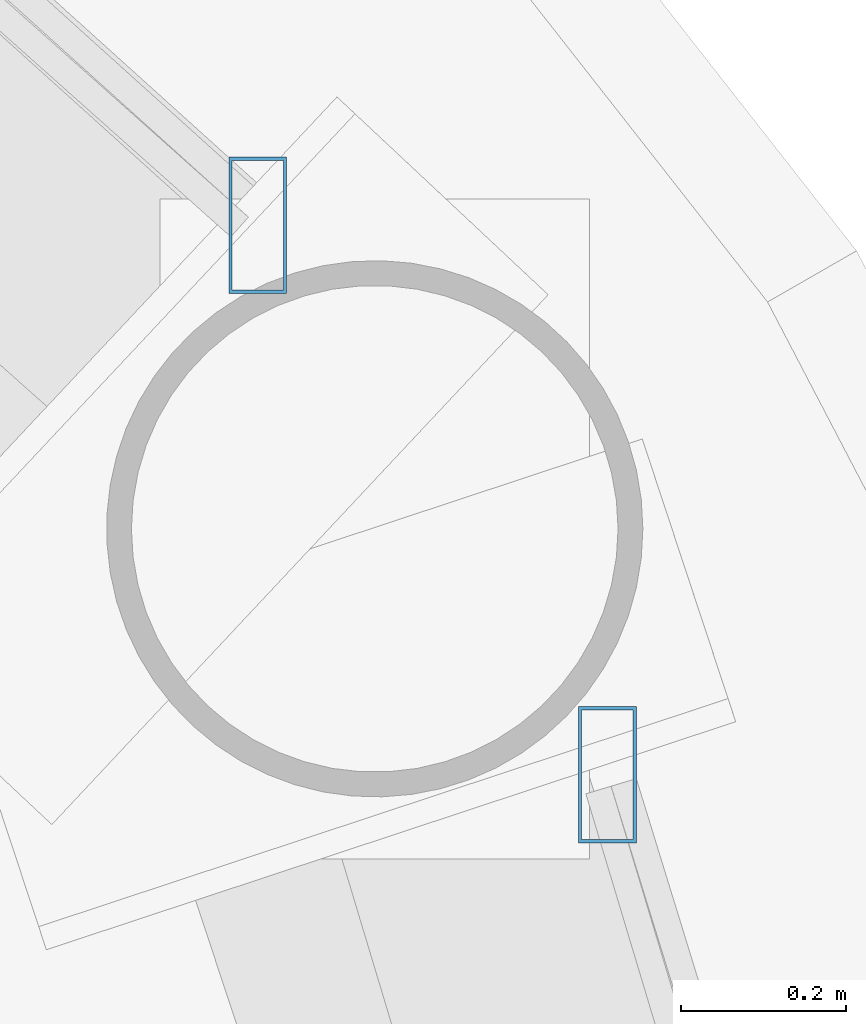
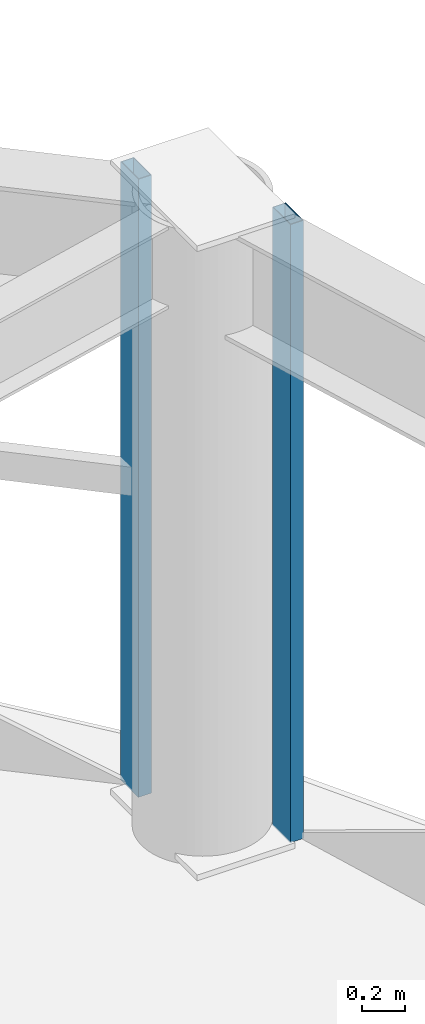
# One storey, part 15 of 29: 2 members, 2 elements without a shape of their own.
"""IFC4 building model written with IfcOpenShell, lengths in metres."""

import ifcopenshell
import ifcopenshell.guid

model = None  # the IFC model being written
_history = None  # IfcOwnerHistory: only IFC2X3 demands one
_inside = {}  # id of a spatial element -> (the spatial element, [elements in it])
_under = {}  # id of a project, library or spatial element -> (it, [spatial elements below it])
_declared = {}  # id of a project -> (the project, [libraries it declares])
_typed = {}  # id of a type object -> (the type object, [elements of that type])
_made_of = {}  # id of a material, layer set ... -> (it, [elements and type objects made of it])


def new_model(schema):
    """Start an empty IFC model of exactly this schema.

    Asked for "IFC4X3", IfcOpenShell would pick the latest addendum, in which some entities
    have other attributes; the version numbers below select the first issue.
    IFC2X3 requires an IfcOwnerHistory on every rooted entity: one is made here for all.
    """
    global model, _history
    if schema == "IFC4X3":
        model = ifcopenshell.file(schema_version=(4, 3, 0, 0))
    else:
        model = ifcopenshell.file(schema=schema)
    _inside.clear()
    _under.clear()
    _declared.clear()
    _typed.clear()
    _made_of.clear()
    _history = None
    if model.schema == "IFC2X3":
        org = make("IfcOrganization", Name="unknown")
        user = make(
            "IfcPersonAndOrganization",
            ThePerson=make("IfcPerson", FamilyName="unknown"),
            TheOrganization=org,
        )
        app = make(
            "IfcApplication",
            ApplicationDeveloper=org,
            Version="unknown",
            ApplicationFullName="unknown",
            ApplicationIdentifier="unknown",
        )
        _history = make(
            "IfcOwnerHistory",
            OwningUser=user,
            OwningApplication=app,
            ChangeAction="ADDED",
            CreationDate=0,
        )
    return model


def make(cls, **values):
    """One entity of the class cls with the attributes given. An attribute that is None is left unset."""
    return model.create_entity(
        cls, **{name: value for name, value in values.items() if value is not None}
    )


def rooted(cls, **values):
    """An entity with a GlobalId (a new one), such as an element, a storey or a relation."""
    return make(cls, GlobalId=ifcopenshell.guid.new(), OwnerHistory=_history, **values)


def si_unit(unit_type, name, prefix=None):
    """IfcSIUnit, for example si_unit("LENGTHUNIT", "METRE", prefix="MILLI")."""
    return make("IfcSIUnit", UnitType=unit_type, Prefix=prefix, Name=name)


def assignment(units):
    """IfcUnitAssignment: the units of a project."""
    return None if units is None else make("IfcUnitAssignment", Units=units)


def point(xyz):
    """IfcCartesianPoint."""
    return None if xyz is None else make("IfcCartesianPoint", Coordinates=xyz)


def direction(xyz):
    """IfcDirection."""
    return None if xyz is None else make("IfcDirection", DirectionRatios=xyz)


def frame(location, z_axis=None, x_axis=None):
    """IfcAxis2Placement3D, a coordinate frame: its origin and axes. An axis left out is left unset."""
    return make(
        "IfcAxis2Placement3D",
        Location=point(location),
        Axis=direction(z_axis),
        RefDirection=direction(x_axis),
    )


def frame_2d(location, x_axis=None):
    """IfcAxis2Placement2D, a coordinate frame in the plane: its origin and x axis."""
    return make(
        "IfcAxis2Placement2D", Location=point(location), RefDirection=direction(x_axis)
    )


def origin():
    """The frame at (0, 0, 0) with its axes left unset."""
    return frame((0.0, 0.0, 0.0))


def origin_2d():
    """The frame at (0, 0) in the plane with its x axis left unset."""
    return frame_2d((0.0, 0.0))


def place(relative_to, where):
    """IfcLocalPlacement: puts the frame where relative to a parent placement (None: the world)."""
    return make(
        "IfcLocalPlacement", PlacementRelTo=relative_to, RelativePlacement=where
    )


def context(
    kind, dimensions, precision=None, world=None, true_north=None, identifier=None
):
    """IfcGeometricRepresentationContext, for example the 3D "Model" context."""
    return make(
        "IfcGeometricRepresentationContext",
        ContextIdentifier=identifier,
        ContextType=kind,
        CoordinateSpaceDimension=dimensions,
        Precision=precision,
        WorldCoordinateSystem=world,
        TrueNorth=true_north,
    )


def subcontext(parent, identifier, kind, view, scale=None):
    """IfcGeometricRepresentationSubContext, for example "Body" below "Model"."""
    return make(
        "IfcGeometricRepresentationSubContext",
        ContextIdentifier=identifier,
        ContextType=kind,
        ParentContext=parent,
        TargetScale=scale,
        TargetView=view,
    )


def project(units=None, contexts=None):
    """IfcProject with its units and contexts."""
    return rooted(
        "IfcProject",
        Name="project",
        RepresentationContexts=contexts,
        UnitsInContext=assignment(units),
    )


def spatial(cls, under=None, at=None, **own):
    """A site, building, storey or space (cls), placed at a placement, below another one or the project."""
    s = rooted(cls, ObjectPlacement=at, **own)
    if under is not None:
        _under.setdefault(under.id(), (under, []))[1].append(s)
    return s


def profile(cls, at=None, kind="AREA", **sizes):
    """A parametric profile (cls). Its sizes go by their IFC names, for example OverallWidth=200.0."""
    return make(cls, ProfileType=kind, Position=at, **sizes)


def hollow_rectangle(**sizes):
    """IfcRectangleHollowProfileDef."""
    return profile("IfcRectangleHollowProfileDef", **sizes)


def extrude(swept, where, along, depth):
    """IfcExtrudedAreaSolid: the profile swept, set in the frame where, extruded along a direction by depth."""
    return make(
        "IfcExtrudedAreaSolid",
        SweptArea=swept,
        Position=where,
        ExtrudedDirection=direction(along),
        Depth=depth,
    )


def shape(context_of_items, identifier, shape_type, items):
    """IfcShapeRepresentation: the items that make up one representation, for example the "Body"."""
    return make(
        "IfcShapeRepresentation",
        ContextOfItems=context_of_items,
        RepresentationIdentifier=identifier,
        RepresentationType=shape_type,
        Items=items,
    )


def material(Name=None, Category=None):
    """IfcMaterial."""
    return make("IfcMaterial", Name=Name, Category=Category)


def layer(
    of_material, thickness, ventilated=None, Name=None, Category=None, Priority=None
):
    """IfcMaterialLayer: one layer of a wall or slab, of a material (None: an air gap)."""
    return make(
        "IfcMaterialLayer",
        Material=of_material,
        LayerThickness=thickness,
        IsVentilated=ventilated,
        Name=Name,
        Category=Category,
        Priority=Priority,
    )


def layer_set(layers, Name=None):
    """IfcMaterialLayerSet."""
    return make("IfcMaterialLayerSet", MaterialLayers=layers, LayerSetName=Name)


def material_profile(
    of_material, cross_section, Name=None, Category=None, Priority=None
):
    """IfcMaterialProfile: a cross section and its material."""
    return make(
        "IfcMaterialProfile",
        Name=Name,
        Material=of_material,
        Profile=cross_section,
        Priority=Priority,
        Category=Category,
    )


def profile_set(profiles, Name=None, composite=None):
    """IfcMaterialProfileSet."""
    return make(
        "IfcMaterialProfileSet",
        Name=Name,
        MaterialProfiles=profiles,
        CompositeProfile=composite,
    )


def made_of(thing, what):
    """Note that an element or type object is made of a material, layer set ...; save() writes the relation."""
    if what is not None:
        _made_of.setdefault(what.id(), (what, []))[1].append(thing)
    return thing


def type_object(cls, material=None, **own):
    """A type object (cls), such as IfcWallType, which elements share."""
    return made_of(rooted(cls, **own), material)


def element(
    cls,
    number,
    at=None,
    inside=None,
    cuts=None,
    type_object=None,
    material=None,
    context=None,
    identifier="Body",
    shape_type=None,
    held_by="IfcProductDefinitionShape",
    body=None,
    shapes=None,
    **own,
):
    """One element of the class cls, such as IfcWall. Its Tag is "e" and its number.

    at: its placement. inside: the storey or other place that contains it. cuts: it is an
    opening in that element (IfcRelVoidsElement). A single representation is given by context,
    identifier, shape_type and body (its items); several are given by shapes. held_by: the class
    of the entity that holds the representations. save() writes the other relations.
    """
    e = rooted(cls, Tag="e%d" % number, ObjectPlacement=at, **own)
    if body is not None:
        shapes = [shape(context, identifier, shape_type, body)]
    if shapes is not None:
        e.Representation = make(held_by, Representations=shapes)
    if inside is not None:
        _inside.setdefault(inside.id(), (inside, []))[1].append(e)
    if cuts is not None:
        rooted(
            "IfcRelVoidsElement", RelatingBuildingElement=cuts, RelatedOpeningElement=e
        )
    if type_object is not None:
        _typed.setdefault(type_object.id(), (type_object, []))[1].append(e)
    return made_of(e, material)


def aggregate(whole, parts):
    """IfcRelAggregates: a whole, such as a stair, and the parts it consists of."""
    return rooted("IfcRelAggregates", RelatingObject=whole, RelatedObjects=parts)


def save(model, path):
    """Write the relations noted so far, then the file.

    IfcRelAggregates (storeys below a building ...), IfcRelContainedInSpatialStructure (elements
    in a storey), IfcRelDefinesByType, IfcRelAssociatesMaterial and IfcRelDeclares: one each for
    every whole, place, type object, material and project.
    """
    for whole, parts in _under.values():
        aggregate(whole, parts)
    for where, things in _inside.values():
        rooted(
            "IfcRelContainedInSpatialStructure",
            RelatedElements=things,
            RelatingStructure=where,
        )
    for kind, things in _typed.values():
        rooted("IfcRelDefinesByType", RelatedObjects=things, RelatingType=kind)
    for what, things in _made_of.values():
        rooted("IfcRelAssociatesMaterial", RelatedObjects=things, RelatingMaterial=what)
    for by, libraries in _declared.values():
        rooted("IfcRelDeclares", RelatingContext=by, RelatedDefinitions=libraries)
    model.write(path)


model = new_model("IFC4")

# Units and contexts
model_context = context("Model", 3, precision=1e-05, world=origin(), true_north=direction((0.0, 1.0)))
body_context = subcontext(model_context, "Body", "Model", "MODEL_VIEW")
ifc_project = project(units=[si_unit("LENGTHUNIT", "METRE"), si_unit("AREAUNIT", "SQUARE_METRE"), si_unit("VOLUMEUNIT", "CUBIC_METRE"), si_unit("PLANEANGLEUNIT", "RADIAN"), si_unit("MASSUNIT", "GRAM", prefix="KILO")], contexts=[model_context])

# Site, building, storey
site_placement = place(None, origin())
site = spatial("IfcSite", under=ifc_project, at=site_placement, CompositionType="ELEMENT")
building_placement = place(site_placement, origin())
building = spatial("IfcBuilding", under=site, at=building_placement, Name="Vantalir Tower", CompositionType="ELEMENT")
storey_placement = place(building_placement, frame((0.0, 0.0, 227.39990234375)))
storey = spatial("IfcBuildingStorey", under=building, at=storey_placement, Name="L57", CompositionType="ELEMENT", Elevation=227.39990234375)

# Curtain wall, member
ifc_material_1 = material(Name="Champagne-silver PVDF aluminium and double-silver Low-E glass", Category="aluminium")
ifc_layer = layer(ifc_material_1, 0.2099609375)
ifc_layer_set = layer_set([ifc_layer], Name="Champagne-silver PVDF aluminium and double-silver Low-E glass")
curtain_wall_type = type_object("IfcCurtainWallType", Name="CW-DIAMOND-Z3", PredefinedType="USERDEFINED", material=ifc_layer_set)
curtain_wall_1_placement = place(storey_placement, origin())
curtain_wall_1 = element("IfcCurtainWall", 1, at=curtain_wall_1_placement, inside=storey, type_object=curtain_wall_type, Name="L57 Quilted Pyramid-Diamond Curtain Wall S01", ObjectType="UNITISED CURTAIN WALL", PredefinedType="USERDEFINED")
ifc_material_2 = material(Name="Champagne-silver PVDF aluminium 6063-T6", Category="aluminium")
ifc_material_profile = material_profile(ifc_material_2, hollow_rectangle(XDim=0.070068359375, YDim=0.1650390625, WallThickness=0.00390625, at=origin_2d()), Name="Champagne-silver PVDF aluminium 6063-T6")
ifc_profile_set = profile_set([ifc_material_profile], Name="Champagne-silver PVDF aluminium 6063-T6")
member_type = type_object("IfcMemberType", Name="CWM-165x70", PredefinedType="MULLION", material=ifc_profile_set)
member_1_placement = place(storey_placement, frame((50.845947265625, 34.5, 0.045166015625), z_axis=(0.0, 0.0, 1.0), x_axis=(1.0, 0.0, 0.0)))
member_1 = element("IfcMember", 2, at=member_1_placement, type_object=member_type, Name="CW-L57-S01 Mullion 2", PredefinedType="MULLION", context=body_context, shape_type="SweptSolid", body=[
    extrude(hollow_rectangle(XDim=0.070068359375, YDim=0.1650390625, WallThickness=0.00390625, at=origin_2d()), origin(), (0.0, 0.0, 1.0), 3.47998046875),
])
aggregate(curtain_wall_1, [member_1])

curtain_wall_2_placement = place(storey_placement, origin())
curtain_wall_2 = element("IfcCurtainWall", 3, at=curtain_wall_2_placement, inside=storey, type_object=curtain_wall_type, Name="L57 Quilted Pyramid-Diamond Curtain Wall S02", ObjectType="UNITISED CURTAIN WALL", PredefinedType="USERDEFINED")
member_2_placement = place(storey_placement, frame((50.422119140625, 35.166015625, 0.045166015625), z_axis=(0.0, 0.0, 1.0), x_axis=(1.0, 0.0, 0.0)))
member_2 = element("IfcMember", 4, at=member_2_placement, type_object=member_type, Name="CW-L57-S02 Mullion 1", PredefinedType="MULLION", context=body_context, shape_type="SweptSolid", body=[
    extrude(hollow_rectangle(XDim=0.070068359375, YDim=0.1650390625, WallThickness=0.00390625, at=origin_2d()), origin(), (0.0, 0.0, 1.0), 3.47998046875),
])
aggregate(curtain_wall_2, [member_2])

save(model, "model.ifc")
